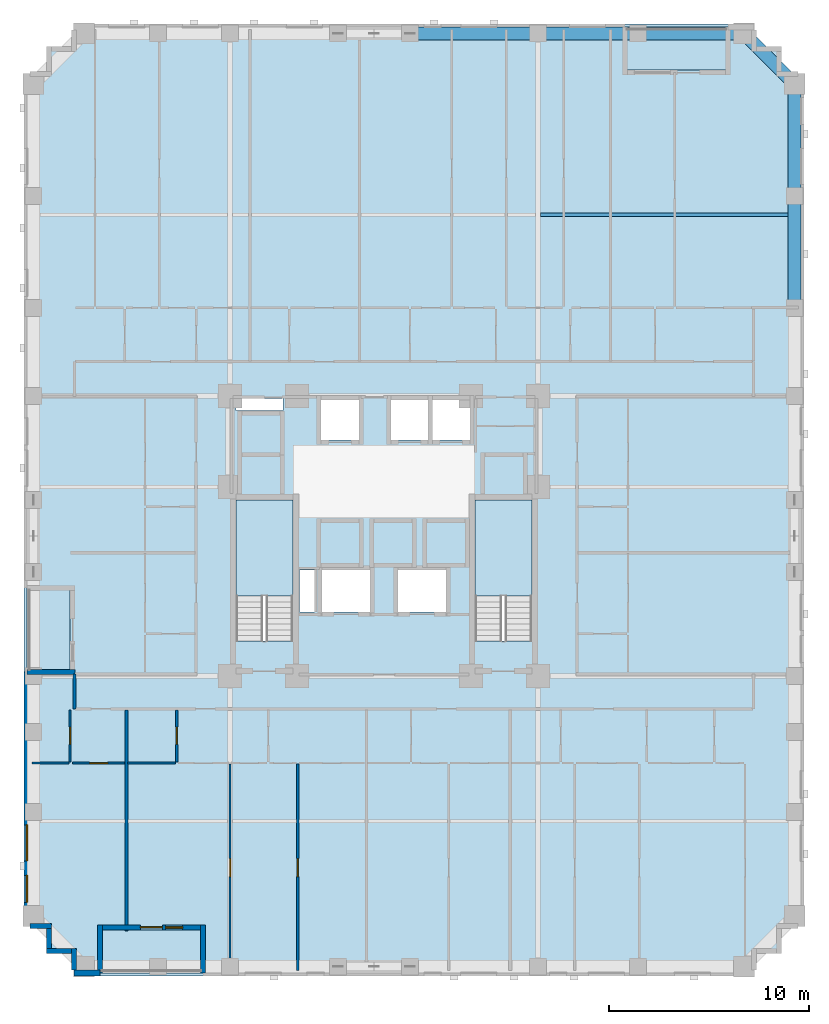
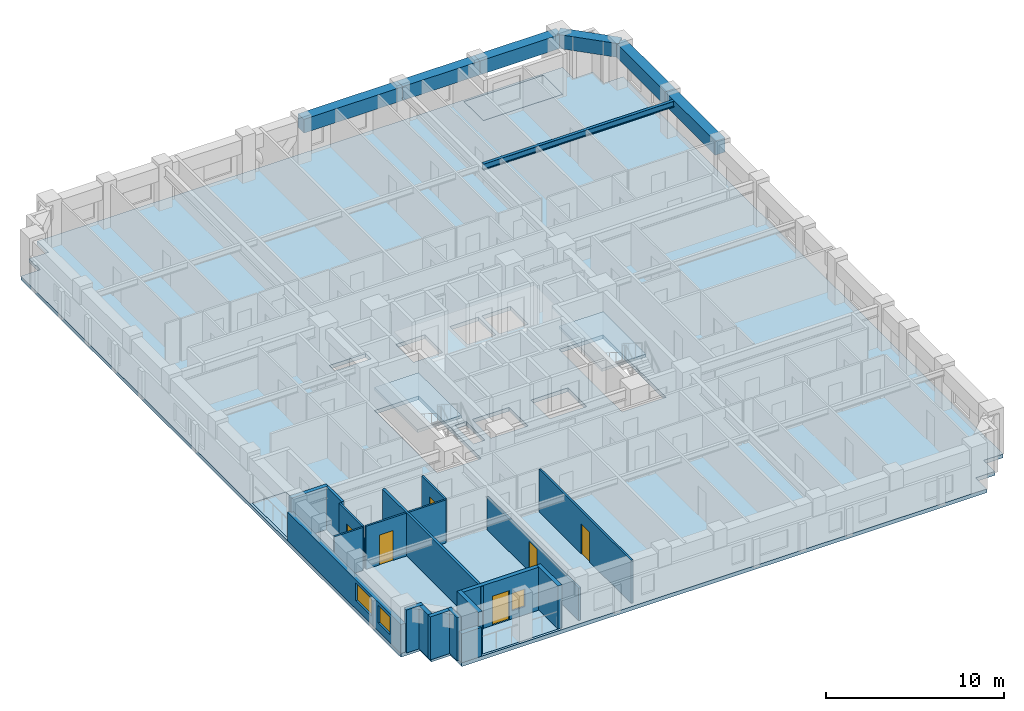
# One storey, part 2 of 14: 19 walls, 7 beams, 6 doors, 6 slabs, 3 windows, 9 openings, 2 elements without a shape of their own.
"""IFC4 building model written with IfcOpenShell, lengths in metres."""

from ifc_helpers import new_model, si_unit, derived_unit, direction, frame, frame_2d, origin, origin_2d, place, context, subcontext, project, spatial, polyline, rectangle, i_section, outline, extrude, material, layer, layer_set, material_profile, profile_set, type_object, element, fill, aggregate, save


model = new_model("IFC4")

# Units and contexts
model_context = context("Model", 3, precision=1e-05, world=origin(), true_north=direction((0.0, 1.0)))
body_context = subcontext(model_context, "Body", "Model", "MODEL_VIEW")
ifc_project = project(units=[si_unit("LENGTHUNIT", "METRE"), si_unit("AREAUNIT", "SQUARE_METRE"), si_unit("VOLUMEUNIT", "CUBIC_METRE"), si_unit("PLANEANGLEUNIT", "RADIAN"), si_unit("MASSUNIT", "GRAM", prefix="KILO"), derived_unit("THERMALTRANSMITTANCEUNIT", [(si_unit("MASSUNIT", "GRAM", prefix="KILO"), 1), (si_unit("TIMEUNIT", "SECOND"), -3), (si_unit("THERMODYNAMICTEMPERATUREUNIT", "KELVIN"), -1)])], contexts=[model_context])

# Site, building, storey
site_placement = place(None, origin())
site = spatial("IfcSite", under=ifc_project, at=site_placement, CompositionType="ELEMENT")
building_placement = place(site_placement, origin())
building = spatial("IfcBuilding", under=site, at=building_placement, Name="Korrvale Station Residences", CompositionType="ELEMENT")
storey_placement = place(building_placement, frame((0.0, 0.0, 57.800048828125)))
storey = spatial("IfcBuildingStorey", under=building, at=storey_placement, Name="L15", CompositionType="ELEMENT", Elevation=57.800048828125)

# Beams
ifc_material_1 = material(Name="Steel S355", Category="steel")
ifc_material_profile_1 = material_profile(ifc_material_1, i_section(OverallWidth=0.180908203125, OverallDepth=0.4169921875, WebThickness=0.010986328125, FlangeThickness=0.018310546875, FilletRadius=0.01611328125, at=origin_2d()), Name="W410x85")
ifc_profile_set_1 = profile_set([ifc_material_profile_1], Name="Steel S355")
beam_type_1 = type_object("IfcBeamType", Name="BM-JST-W410x85-S355", PredefinedType="JOIST", material=ifc_profile_set_1)
beam_1_placement = place(storey_placement, frame((33.327880859375, 38.06005859375, 2.7314453125), z_axis=(1.0, 0.0, 0.0), x_axis=(0.0, 1.0, 0.0)))
element("IfcBeam", 1, at=beam_1_placement, inside=storey, type_object=beam_type_1, Name="L15 Floor Framing Joist 06", PredefinedType="JOIST", context=body_context, shape_type="SweptSolid", body=[
    extrude(i_section(OverallWidth=0.180908203125, OverallDepth=0.4169921875, WebThickness=0.010986328125, FlangeThickness=0.018310546875, FilletRadius=0.01611328125, at=origin_2d()), origin(), (0.0, 0.0, 1.0), 12.3671875),
])
ifc_material_2 = material(Name="Concrete C70/85", Category="concrete")
ifc_material_profile_2 = material_profile(ifc_material_2, rectangle(XDim=0.64990234375, YDim=0.949951171875, at=origin_2d()), Name="RCB650x950")
ifc_profile_set_2 = profile_set([ifc_material_profile_2], Name="Concrete C70/85")
beam_type_2 = type_object("IfcBeamType", Name="BM-SPB-RCB650x950-C7085", PredefinedType="SPANDREL", material=ifc_profile_set_2)
beam_2_placement = place(storey_placement, frame((26.800048828125, 47.1201171875, 2.46484375), z_axis=(1.0, 0.0, 0.0), x_axis=(0.0, 1.0, 0.0)))
element("IfcBeam", 2, at=beam_2_placement, inside=storey, type_object=beam_type_2, Name="L15 North Tube Spandrel 12", PredefinedType="SPANDREL", context=body_context, shape_type="SweptSolid", body=[
    extrude(rectangle(XDim=0.64990234375, YDim=0.949951171875, at=origin_2d()), origin(), (0.0, 0.0, 1.0), 6.39990234375),
])
beam_3_placement = place(storey_placement, frame((33.199951171875, 47.1201171875, 2.46484375), z_axis=(1.0, 0.0, 0.0), x_axis=(0.0, 1.0, 0.0)))
element("IfcBeam", 3, at=beam_3_placement, inside=storey, type_object=beam_type_2, Name="L15 North Tube Spandrel 13", PredefinedType="SPANDREL", context=body_context, shape_type="SweptSolid", body=[
    extrude(rectangle(XDim=0.64990234375, YDim=0.949951171875, at=origin_2d()), origin(), (0.0, 0.0, 1.0), 5.0),
])
beam_4_placement = place(storey_placement, frame((38.199951171875, 47.1201171875, 2.46484375), z_axis=(1.0, 0.0, 0.0), x_axis=(0.0, 1.0, 0.0)))
element("IfcBeam", 4, at=beam_4_placement, inside=storey, type_object=beam_type_2, Name="L15 North Tube Spandrel 14", PredefinedType="SPANDREL", context=body_context, shape_type="SweptSolid", body=[
    extrude(rectangle(XDim=0.64990234375, YDim=0.949951171875, at=origin_2d()), origin(), (0.0, 0.0, 1.0), 5.300048828125),
])
for number, where, z_axis, x_axis, name in (
    (5, (46.02001953125, 33.39990234375, 2.46484375), (0.0, 1.0, 0.0), (-1.0, 0.0, 0.0), "L15 East Tube Spandrel 31"),
    (6, (46.02001953125, 39.0, 2.46484375), (0.0, 1.0, 0.0), (-1.0, 0.0, 0.0), "L15 East Tube Spandrel 32"),
):
    element("IfcBeam", number, at=place(storey_placement, frame(where, z_axis=z_axis, x_axis=x_axis)), inside=storey, type_object=beam_type_2, Name=name, PredefinedType="SPANDREL", context=body_context, shape_type="SweptSolid", body=[
        extrude(rectangle(XDim=0.64990234375, YDim=0.949951171875, at=origin_2d()), origin(), (0.0, 0.0, 1.0), 5.60009765625),
    ])
beam_5_placement = place(storey_placement, frame((43.5, 47.1201171875, 2.46484375), z_axis=(0.707106781187, -0.707106781187, 0.0), x_axis=(0.707106781187, 0.707106781187, 0.0)))
element("IfcBeam", 7, at=beam_5_placement, inside=storey, type_object=beam_type_2, Name="L15 Serrated Corner Spandrel 35", PredefinedType="SPANDREL", context=body_context, shape_type="SweptSolid", body=[
    extrude(rectangle(XDim=0.64990234375, YDim=0.949951171875, at=origin_2d()), origin(), (0.0, 0.0, 1.0), 3.56396484375),
])

# Slabs
ifc_material_3 = material(Name="Concrete C50/60", Category="concrete")
ifc_layer_1 = layer(ifc_material_3, 0.219970703125, Name="Concrete C50/60")
ifc_layer_set_1 = layer_set([ifc_layer_1], Name="Concrete C50/60")
slab_type_1 = type_object("IfcSlabType", Name="SLB-BAL-220", PredefinedType="FLOOR", material=ifc_layer_set_1)
slab_1_placement = place(storey_placement, frame((0.0, 0.0, -0.219970703125)))
element("IfcSlab", 8, at=slab_1_placement, inside=storey, type_object=slab_type_1, Name="L15 Recessed Loggia Balcony Slab BAL-L15-S1", PredefinedType="FLOOR", context=body_context, shape_type="SweptSolid", body=[
    extrude(outline(polyline([(11.300048828125, 0.14990234375), (16.449951171875, 0.14990234375), (16.449951171875, 2.300048828125), (11.300048828125, 2.300048828125), (11.300048828125, 0.14990234375)])), origin(), (0.0, 0.0, 1.0), 0.219970703125),
])
slab_2_placement = place(storey_placement, frame((0.0, 0.0, -0.219970703125)))
element("IfcSlab", 9, at=slab_2_placement, inside=storey, type_object=slab_type_1, Name="L15 Recessed Loggia Balcony Slab BAL-L15-N1", PredefinedType="FLOOR", context=body_context, shape_type="SweptSolid", body=[
    extrude(outline(polyline([(37.550048828125, 45.300048828125), (42.699951171875, 45.300048828125), (42.699951171875, 47.449951171875), (37.550048828125, 47.449951171875), (37.550048828125, 45.300048828125)])), origin(), (0.0, 0.0, 1.0), 0.219970703125),
])
slab_3_placement = place(storey_placement, frame((0.0, 0.0, -0.219970703125)))
element("IfcSlab", 10, at=slab_3_placement, inside=storey, type_object=slab_type_1, Name="L15 Recessed Loggia Balcony Slab BAL-L15-W1", PredefinedType="FLOOR", context=body_context, shape_type="SweptSolid", body=[
    extrude(outline(polyline([(7.64990234375, 15.199951171875), (9.800048828125, 15.199951171875), (9.800048828125, 19.39990234375), (7.64990234375, 19.39990234375), (7.64990234375, 15.199951171875)])), origin(), (0.0, 0.0, 1.0), 0.219970703125),
])
ifc_layer_2 = layer(ifc_material_3, 0.260009765625, Name="Concrete C50/60")
ifc_layer_set_2 = layer_set([ifc_layer_2], Name="Concrete C50/60")
slab_type_2 = type_object("IfcSlabType", Name="SLB-FLR-260", PredefinedType="FLOOR", material=ifc_layer_set_2)
slab_4_placement = place(storey_placement, frame((0.0, 0.0, -0.260009765625)))
element("IfcSlab", 11, at=slab_4_placement, inside=storey, type_object=slab_type_2, Name="L15 Suspended Structural Floor Slab", PredefinedType="FLOOR", context=body_context, shape_type="SweptSolid", body=[
    extrude(outline(polyline([(10.0, 0.0), (44.0, 0.0), (44.0, 1.25), (45.25, 1.25), (45.25, 2.5), (46.5, 2.5), (46.5, 45.10009765625), (45.25, 45.10009765625), (45.25, 46.35009765625), (44.0, 46.35009765625), (44.0, 47.60009765625), (10.0, 47.60009765625), (10.0, 46.35009765625), (8.75, 46.35009765625), (8.75, 45.10009765625), (7.5, 45.10009765625), (7.5, 2.5), (8.75, 2.5), (8.75, 1.25), (10.0, 1.25), (10.0, 0.0)]), holes=[polyline([(20.949951171875, 16.751953125), (20.949951171875, 23.800048828125), (18.10009765625, 23.800048828125), (18.10009765625, 16.751953125), (20.949951171875, 16.751953125)]), polyline([(32.89990234375, 16.751953125), (32.89990234375, 23.800048828125), (30.050048828125, 23.800048828125), (30.050048828125, 16.751953125), (32.89990234375, 16.751953125)]), polyline([(22.35009765625, 26.800048828125), (24.25, 26.800048828125), (24.25, 28.800048828125), (22.35009765625, 28.800048828125), (22.35009765625, 26.800048828125)]), polyline([(25.85009765625, 26.800048828125), (27.7099609375, 26.800048828125), (27.7099609375, 28.800048828125), (25.85009765625, 28.800048828125), (25.85009765625, 26.800048828125)]), polyline([(27.929931640625, 26.800048828125), (29.7900390625, 26.800048828125), (29.7900390625, 28.800048828125), (27.929931640625, 28.800048828125), (27.929931640625, 26.800048828125)]), polyline([(22.39990234375, 18.199951171875), (24.800048828125, 18.199951171875), (24.800048828125, 20.300048828125), (22.39990234375, 20.300048828125), (22.39990234375, 18.199951171875)]), polyline([(26.199951171875, 18.199951171875), (28.60009765625, 18.199951171875), (28.60009765625, 20.300048828125), (26.199951171875, 20.300048828125), (26.199951171875, 18.199951171875)]), polyline([(18.10009765625, 28.280029296875), (20.449951171875, 28.280029296875), (20.449951171875, 28.8798828125), (18.10009765625, 28.8798828125), (18.10009765625, 28.280029296875)]), polyline([(21.280029296875, 18.199951171875), (22.02001953125, 18.199951171875), (22.02001953125, 20.300048828125), (21.280029296875, 20.300048828125), (21.280029296875, 18.199951171875)]), polyline([(11.300048828125, 0.14990234375), (16.449951171875, 0.14990234375), (16.449951171875, 2.300048828125), (11.300048828125, 2.300048828125), (11.300048828125, 0.14990234375)]), polyline([(37.550048828125, 45.300048828125), (42.699951171875, 45.300048828125), (42.699951171875, 47.449951171875), (37.550048828125, 47.449951171875), (37.550048828125, 45.300048828125)]), polyline([(7.64990234375, 15.199951171875), (9.800048828125, 15.199951171875), (9.800048828125, 19.39990234375), (7.64990234375, 19.39990234375), (7.64990234375, 15.199951171875)])]), origin(), (0.0, 0.0, 1.0), 0.260009765625),
])

# Stair, slab
stair_type = type_object("IfcStairType", Name="STR-DL-1350-18R-1778", PredefinedType="HALF_TURN_STAIR", material=ifc_material_3)
stair_1_placement = place(storey_placement, origin())
stair_1 = element("IfcStair", 12, at=stair_1_placement, inside=storey, type_object=stair_type, Name="L15 Exit Stair 1", PredefinedType="HALF_TURN_STAIR")
ifc_layer_3 = layer(ifc_material_3, 0.199951171875, Name="Concrete C50/60")
ifc_layer_set_3 = layer_set([ifc_layer_3], Name="Concrete C50/60")
slab_type_3 = type_object("IfcSlabType", Name="SLB-LND-200", PredefinedType="LANDING", material=ifc_layer_set_3)
slab_5_placement = place(storey_placement, frame((0.0, 0.0, 1.39990234375)))
slab_5 = element("IfcSlab", 13, at=slab_5_placement, type_object=slab_type_3, Name="ST-1 landing 1", PredefinedType="LANDING", context=body_context, shape_type="SweptSolid", body=[
    extrude(outline(polyline([(20.949951171875, 18.989990234375), (20.949951171875, 23.800048828125), (18.10009765625, 23.800048828125), (18.10009765625, 18.989990234375), (20.949951171875, 18.989990234375)])), origin(), (0.0, 0.0, 1.0), 0.199951171875),
])
aggregate(stair_1, [slab_5])

stair_2_placement = place(storey_placement, origin())
stair_2 = element("IfcStair", 14, at=stair_2_placement, inside=storey, type_object=stair_type, Name="L15 Exit Stair 2", PredefinedType="HALF_TURN_STAIR")
slab_6_placement = place(storey_placement, frame((0.0, 0.0, 1.39990234375)))
slab_6 = element("IfcSlab", 15, at=slab_6_placement, type_object=slab_type_3, Name="ST-2 landing 1", PredefinedType="LANDING", context=body_context, shape_type="SweptSolid", body=[
    extrude(outline(polyline([(32.89990234375, 18.989990234375), (32.89990234375, 23.800048828125), (30.050048828125, 23.800048828125), (30.050048828125, 18.989990234375), (32.89990234375, 18.989990234375)])), origin(), (0.0, 0.0, 1.0), 0.199951171875),
])
aggregate(stair_2, [slab_6])

# Wall
ifc_material_4 = material(Name="Precast concrete C45/55", Category="concrete")
ifc_layer_4 = layer(ifc_material_4, 0.260009765625, Name="Precast concrete C45/55")
ifc_layer_set_4 = layer_set([ifc_layer_4], Name="Precast concrete C45/55")
wall_type_1 = type_object("IfcWallType", Name="WAL-EXT-LOG260", PredefinedType="SOLIDWALL", material=ifc_layer_set_4)
wall_1_placement = place(storey_placement, frame((16.449951171875, 0.159912109375, 0.0), z_axis=(0.0, 0.0, 1.0), x_axis=(0.0, 1.0, 0.0)))
element("IfcWall", 16, at=wall_1_placement, inside=storey, type_object=wall_type_1, Name="L15 Recessed Loggia Wall BAL-L15-S1-L", PredefinedType="SOLIDWALL", context=body_context, shape_type="SweptSolid", body=[
    extrude(rectangle(XDim=2.400146484375, YDim=0.260009765625, at=frame_2d((1.2001953125, 0.0))), origin(), (0.0, 0.0, 1.0), 2.93994140625),
])

# Wall, openings, door, window
wall_2_placement = place(storey_placement, frame((16.31591796875, 2.429931640625, 0.0), z_axis=(0.0, 0.0, 1.0), x_axis=(-1.0, 0.0, 0.0)))
wall_2 = element("IfcWall", 17, at=wall_2_placement, inside=storey, type_object=wall_type_1, Name="L15 Recessed Loggia Wall BAL-L15-S1-B", PredefinedType="SOLIDWALL", context=body_context, shape_type="SweptSolid", body=[
    extrude(rectangle(XDim=4.8818359375, YDim=0.260009765625, at=frame_2d((2.44091796875, 0.0))), origin(), (0.0, 0.0, 1.0), 2.93994140625),
])
opening_1_placement = place(wall_2_placement, frame((1.89111328125, 0.0, 0.0)))
opening_1 = element("IfcOpeningElement", 18, at=opening_1_placement, cuts=wall_2, Name="Opening BD-01", PredefinedType="OPENING", context=body_context, shape_type="SweptSolid", body=[
    extrude(rectangle(XDim=1.10009765625, YDim=2.0, at=frame_2d((0.550048828125, 1.0))), frame((0.0, 0.14013671875, 0.0), z_axis=(0.0, -1.0, 0.0), x_axis=(1.0, 0.0, 0.0)), (0.0, 0.0, 1.0), 0.280029296875),
])
opening_2_placement = place(wall_2_placement, frame((0.881103515625, 0.0, 0.550048828125)))
opening_2 = element("IfcOpeningElement", 19, at=opening_2_placement, cuts=wall_2, Name="Opening W-11", PredefinedType="OPENING", context=body_context, shape_type="SweptSolid", body=[
    extrude(rectangle(XDim=0.85009765625, YDim=1.199951171875, at=frame_2d((0.425048828125, 0.60009765625))), frame((0.0, 0.14013671875, 0.0), z_axis=(0.0, -1.0, 0.0), x_axis=(1.0, 0.0, 0.0)), (0.0, 0.0, 1.0), 0.280029296875),
])
ifc_material_5 = material(Name="Exterior thermally broken aluminium glazed balcony door", Category="aluminium")
door_type_1 = type_object("IfcDoorType", Name="DR-EXT-BAL", OperationType="NOTDEFINED", PredefinedType="DOOR", material=ifc_material_5)
door_1_placement = place(opening_1_placement, origin())
door_1 = element("IfcDoor", 20, at=door_1_placement, inside=storey, type_object=door_type_1, Name="L15 Loggia Balcony Door BAL-L15-S1", OperationType="SINGLE_SWING_RIGHT", OverallHeight=2.0, OverallWidth=1.10009765625, PredefinedType="DOOR", context=body_context, shape_type="SweptSolid", body=[
    extrude(rectangle(XDim=1.10009765625, YDim=2.0, at=frame_2d((0.550048828125, 1.0))), frame((0.0, 0.02490234375, 0.0), z_axis=(0.0, -1.0, 0.0), x_axis=(1.0, 0.0, 0.0)), (0.0, 0.0, 1.0), 0.050048828125),
])
fill(opening_1, door_1)
ifc_material_6 = material(Name="Thermally broken aluminium frame with triple low-e glazing", Category="aluminium")
window_type_1 = type_object("IfcWindowType", Name="WIN-W11", PartitioningType="SINGLE_PANEL", PredefinedType="WINDOW", material=ifc_material_6)
window_1_placement = place(opening_2_placement, origin())
window_1 = element("IfcWindow", 21, at=window_1_placement, inside=storey, type_object=window_type_1, Name="L15 Punched Window 03", OverallHeight=1.199951171875, OverallWidth=0.85009765625, PartitioningType="SINGLE_PANEL", PredefinedType="WINDOW", context=body_context, shape_type="SweptSolid", body=[
    extrude(rectangle(XDim=0.85009765625, YDim=1.199951171875, at=frame_2d((0.425048828125, 0.60009765625))), frame((0.0, 0.030029296875, 0.0), z_axis=(0.0, -1.0, 0.0), x_axis=(1.0, 0.0, 0.0)), (0.0, 0.0, 1.0), 0.06005859375),
])
fill(opening_2, window_1)

# Walls
for number, where, z_axis, x_axis, name in (
    (22, (11.300048828125, 2.56005859375, 0.0), (0.0, 0.0, 1.0), (0.0, -1.0, 0.0), "L15 Recessed Loggia Wall BAL-L15-S1-R"),
    (23, (7.659912109375, 15.199951171875, 0.0), (0.0, 0.0, 1.0), (1.0, 0.0, 0.0), "L15 Recessed Loggia Wall BAL-L15-W1-L"),
):
    element("IfcWall", number, at=place(storey_placement, frame(where, z_axis=z_axis, x_axis=x_axis)), inside=storey, type_object=wall_type_1, Name=name, PredefinedType="SOLIDWALL", context=body_context, shape_type="SweptSolid", body=[
        extrude(rectangle(XDim=2.400146484375, YDim=0.260009765625, at=frame_2d((1.2001953125, 0.0))), origin(), (0.0, 0.0, 1.0), 2.93994140625),
    ])
wall_3_placement = place(storey_placement, frame((10.0, 0.302001953125, 0.0), z_axis=(0.0, 0.0, 1.0), x_axis=(0.0, 1.0, 0.0)))
element("IfcWall", 24, at=wall_3_placement, inside=storey, type_object=wall_type_1, Name="L15 Serrated Corner Precast Step SW-1", PredefinedType="SOLIDWALL", context=body_context, shape_type="SweptSolid", body=[
    extrude(rectangle(XDim=1.077880859375, YDim=0.260009765625, at=frame_2d((0.5390625, 0.0))), origin(), (0.0, 0.0, 1.0), 2.93994140625),
])
wall_4_placement = place(storey_placement, frame((9.867919921875, 1.25, 0.0), z_axis=(0.0, 0.0, 1.0), x_axis=(-1.0, 0.0, 0.0)))
element("IfcWall", 25, at=wall_4_placement, inside=storey, type_object=wall_type_1, Name="L15 Serrated Corner Precast Step SW-2", PredefinedType="SOLIDWALL", context=body_context, shape_type="SweptSolid", body=[
    extrude(rectangle(XDim=1.247802734375, YDim=0.260009765625, at=frame_2d((0.6240234375, 0.0))), origin(), (0.0, 0.0, 1.0), 2.93994140625),
])
wall_5_placement = place(storey_placement, frame((8.75, 1.382080078125, 0.0), z_axis=(0.0, 0.0, 1.0), x_axis=(0.0, 1.0, 0.0)))
element("IfcWall", 26, at=wall_5_placement, inside=storey, type_object=wall_type_1, Name="L15 Serrated Corner Precast Step SW-3", PredefinedType="SOLIDWALL", context=body_context, shape_type="SweptSolid", body=[
    extrude(rectangle(XDim=0.98583984375, YDim=0.260009765625, at=frame_2d((0.492919921875, 0.0))), origin(), (0.0, 0.0, 1.0), 2.93994140625),
])
wall_6_placement = place(storey_placement, frame((8.8798828125, 2.5, 0.0), z_axis=(0.0, 0.0, 1.0), x_axis=(-1.0, 0.0, 0.0)))
element("IfcWall", 27, at=wall_6_placement, inside=storey, type_object=wall_type_1, Name="L15 Serrated Corner Precast Step SW-4", PredefinedType="SOLIDWALL", context=body_context, shape_type="SweptSolid", body=[
    extrude(rectangle(XDim=1.077880859375, YDim=0.260009765625, at=frame_2d((0.5390625, 0.0))), origin(), (0.0, 0.0, 1.0), 2.93994140625),
])
ifc_layer_5 = layer(ifc_material_4, 0.300048828125, Name="Precast concrete C45/55")
ifc_layer_set_5 = layer_set([ifc_layer_5], Name="Precast concrete C45/55")
wall_type_2 = type_object("IfcWallType", Name="WAL-EXT-PC300", PredefinedType="SOLIDWALL", material=ifc_layer_set_5)
wall_7_placement = place(storey_placement, frame((11.300048828125, 0.14990234375, 0.0), z_axis=(0.0, 0.0, 1.0), x_axis=(-1.0, 0.0, 0.0)))
element("IfcWall", 28, at=wall_7_placement, inside=storey, type_object=wall_type_2, Name="L15 South Exterior Precast Wall 2", PredefinedType="SOLIDWALL", context=body_context, shape_type="SweptSolid", body=[
    extrude(rectangle(XDim=1.300048828125, YDim=0.300048828125, at=frame_2d((0.64990234375, 0.0))), origin(), (0.0, 0.0, 1.0), 1.974853515625),
])

# Wall, openings, windows
wall_8_placement = place(storey_placement, frame((7.64990234375, 2.5, 0.0), z_axis=(0.0, 0.0, 1.0), x_axis=(0.0, 1.0, 0.0)))
wall_8 = element("IfcWall", 29, at=wall_8_placement, inside=storey, type_object=wall_type_2, Name="L15 West Exterior Precast Wall 1", PredefinedType="SOLIDWALL", context=body_context, shape_type="SweptSolid", body=[
    extrude(rectangle(XDim=12.699951171875, YDim=0.300048828125, at=frame_2d((6.35009765625, 0.0))), origin(), (0.0, 0.0, 1.0), 1.974853515625),
])
opening_3_placement = place(wall_8_placement, frame((3.257080078125, 0.0, 0.550048828125)))
opening_3 = element("IfcOpeningElement", 30, at=opening_3_placement, cuts=wall_8, Name="Opening W-09", PredefinedType="OPENING", context=body_context, shape_type="SweptSolid", body=[
    extrude(rectangle(XDim=1.800048828125, YDim=1.199951171875, at=frame_2d((0.89990234375, 0.60009765625))), frame((0.0, 0.16015625, 0.0), z_axis=(0.0, -1.0, 0.0), x_axis=(1.0, 0.0, 0.0)), (0.0, 0.0, 1.0), 0.320068359375),
])
opening_4_placement = place(wall_8_placement, frame((1.18505859375, 0.0, 0.550048828125)))
opening_4 = element("IfcOpeningElement", 31, at=opening_4_placement, cuts=wall_8, Name="Opening W-10", PredefinedType="OPENING", context=body_context, shape_type="SweptSolid", body=[
    extrude(rectangle(XDim=1.35009765625, YDim=1.199951171875, at=frame_2d((0.675048828125, 0.60009765625))), frame((0.0, 0.16015625, 0.0), z_axis=(0.0, -1.0, 0.0), x_axis=(1.0, 0.0, 0.0)), (0.0, 0.0, 1.0), 0.320068359375),
])
window_type_2 = type_object("IfcWindowType", Name="WIN-W09", PartitioningType="DOUBLE_PANEL_VERTICAL", PredefinedType="WINDOW", material=ifc_material_6)
window_2_placement = place(opening_3_placement, origin())
window_2 = element("IfcWindow", 32, at=window_2_placement, inside=storey, type_object=window_type_2, Name="L15 Punched Window 01", OverallHeight=1.199951171875, OverallWidth=1.800048828125, PartitioningType="DOUBLE_PANEL_VERTICAL", PredefinedType="WINDOW", context=body_context, shape_type="SweptSolid", body=[
    extrude(rectangle(XDim=1.800048828125, YDim=1.199951171875, at=frame_2d((0.89990234375, 0.60009765625))), frame((0.0, 0.030029296875, 0.0), z_axis=(0.0, -1.0, 0.0), x_axis=(1.0, 0.0, 0.0)), (0.0, 0.0, 1.0), 0.06005859375),
])
fill(opening_3, window_2)
window_type_3 = type_object("IfcWindowType", Name="WIN-W10", PartitioningType="SINGLE_PANEL", PredefinedType="WINDOW", material=ifc_material_6)
window_3_placement = place(opening_4_placement, origin())
window_3 = element("IfcWindow", 33, at=window_3_placement, inside=storey, type_object=window_type_3, Name="L15 Punched Window 02", OverallHeight=1.199951171875, OverallWidth=1.35009765625, PartitioningType="SINGLE_PANEL", PredefinedType="WINDOW", context=body_context, shape_type="SweptSolid", body=[
    extrude(rectangle(XDim=1.35009765625, YDim=1.199951171875, at=frame_2d((0.675048828125, 0.60009765625))), frame((0.0, 0.030029296875, 0.0), z_axis=(0.0, -1.0, 0.0), x_axis=(1.0, 0.0, 0.0)), (0.0, 0.0, 1.0), 0.06005859375),
])
fill(opening_4, window_3)

# Wall, opening, door
ifc_material_7 = material(Name="Acoustic steel-stud gypsum board partition", Category="steel")
ifc_layer_6 = layer(ifc_material_7, 0.1201171875, Name="Acoustic steel-stud gypsum board partition")
ifc_layer_set_6 = layer_set([ifc_layer_6], Name="Acoustic steel-stud gypsum board partition")
wall_type_3 = type_object("IfcWallType", Name="WAL-PART-125", PredefinedType="PARTITIONING", material=ifc_layer_set_6)
wall_9_placement = place(storey_placement, frame((9.800048828125, 10.7099609375, 0.0), z_axis=(0.0, 0.0, 1.0), x_axis=(0.0, 1.0, 0.0)))
wall_9 = element("IfcWall", 34, at=wall_9_placement, inside=storey, type_object=wall_type_3, Name="L15 Suite Partition U01-V01", PredefinedType="PARTITIONING", context=body_context, shape_type="SweptSolid", body=[
    extrude(rectangle(XDim=2.60009765625, YDim=0.1201171875, at=frame_2d((1.300048828125, 0.0))), origin(), (0.0, 0.0, 1.0), 2.93994140625),
])
opening_5_placement = place(wall_9_placement, frame((0.8701171875, 0.0, 0.0)))
opening_5 = element("IfcOpeningElement", 35, at=opening_5_placement, cuts=wall_9, Name="Opening DB-860", PredefinedType="OPENING", context=body_context, shape_type="SweptSolid", body=[
    extrude(rectangle(XDim=0.860107421875, YDim=2.050048828125, at=frame_2d((0.43017578125, 1.02490234375))), frame((0.0, 0.070068359375, 0.0), z_axis=(0.0, -1.0, 0.0), x_axis=(1.0, 0.0, 0.0)), (0.0, 0.0, 1.0), 0.14013671875),
])
ifc_material_8 = material(Name="Moisture-resistant solid-core bathroom door", Category="timber")
door_type_2 = type_object("IfcDoorType", Name="DR-BATH-860", OperationType="NOTDEFINED", PredefinedType="DOOR", material=ifc_material_8)
door_2_placement = place(opening_5_placement, origin())
door_2 = element("IfcDoor", 36, at=door_2_placement, inside=storey, type_object=door_type_2, Name="L15 Studio Apartment L15-U01 Bathroom Door", OperationType="SINGLE_SWING_RIGHT", OverallHeight=2.050048828125, OverallWidth=0.860107421875, PredefinedType="DOOR", context=body_context, shape_type="SweptSolid", body=[
    extrude(rectangle(XDim=0.860107421875, YDim=2.050048828125, at=frame_2d((0.43017578125, 1.02490234375))), frame((0.0, 0.02490234375, 0.0), z_axis=(0.0, -1.0, 0.0), x_axis=(1.0, 0.0, 0.0)), (0.0, 0.0, 1.0), 0.050048828125),
])
fill(opening_5, door_2)

# Wall
wall_10_placement = place(storey_placement, frame((7.889892578125, 10.64990234375, 0.0), z_axis=(0.0, 0.0, 1.0), x_axis=(1.0, 0.0, 0.0)))
element("IfcWall", 37, at=wall_10_placement, inside=storey, type_object=wall_type_3, Name="L15 Suite Partition U01-H02", PredefinedType="PARTITIONING", context=body_context, shape_type="SweptSolid", body=[
    extrude(rectangle(XDim=1.85009765625, YDim=0.1201171875, at=frame_2d((0.925048828125, 0.0))), origin(), (0.0, 0.0, 1.0), 2.93994140625),
])

# Wall, opening, door
wall_11_placement = place(storey_placement, frame((9.929931640625, 10.64990234375, 0.0), z_axis=(0.0, 0.0, 1.0), x_axis=(1.0, 0.0, 0.0)))
wall_11 = element("IfcWall", 38, at=wall_11_placement, inside=storey, type_object=wall_type_3, Name="L15 Suite Partition U01-H12", PredefinedType="PARTITIONING", context=body_context, shape_type="SweptSolid", body=[
    extrude(rectangle(XDim=2.59716796875, YDim=0.1201171875, at=frame_2d((1.298583984375, 0.0))), origin(), (0.0, 0.0, 1.0), 2.93994140625),
])
opening_6_placement = place(wall_11_placement, frame((0.847900390625, 0.0, 0.0)))
opening_6 = element("IfcOpeningElement", 39, at=opening_6_placement, cuts=wall_11, Name="Opening DI-900", PredefinedType="OPENING", context=body_context, shape_type="SweptSolid", body=[
    extrude(rectangle(XDim=0.89990234375, YDim=2.050048828125, at=frame_2d((0.449951171875, 1.02490234375))), frame((0.0, 0.070068359375, 0.0), z_axis=(0.0, -1.0, 0.0), x_axis=(1.0, 0.0, 0.0)), (0.0, 0.0, 1.0), 0.14013671875),
])
ifc_material_9 = material(Name="Painted solid-core timber interior room door", Category="wood")
door_type_3 = type_object("IfcDoorType", Name="DR-INT-900", OperationType="NOTDEFINED", PredefinedType="DOOR", material=ifc_material_9)
door_3_placement = place(opening_6_placement, origin())
door_3 = element("IfcDoor", 40, at=door_3_placement, inside=storey, type_object=door_type_3, Name="L15 Studio Apartment L15-U01 Kitchen Door", OperationType="SINGLE_SWING_LEFT", OverallHeight=2.050048828125, OverallWidth=0.89990234375, PredefinedType="DOOR", context=body_context, shape_type="SweptSolid", body=[
    extrude(rectangle(XDim=0.89990234375, YDim=2.050048828125, at=frame_2d((0.449951171875, 1.02490234375))), frame((0.0, 0.02490234375, 0.0), z_axis=(0.0, -1.0, 0.0), x_axis=(1.0, 0.0, 0.0)), (0.0, 0.0, 1.0), 0.050048828125),
])
fill(opening_6, door_3)

wall_12_placement = place(storey_placement, frame((15.14697265625, 10.7099609375, 0.0), z_axis=(0.0, 0.0, 1.0), x_axis=(0.0, 1.0, 0.0)))
wall_12 = element("IfcWall", 41, at=wall_12_placement, inside=storey, type_object=wall_type_3, Name="L15 Suite Partition U02-V01", PredefinedType="PARTITIONING", context=body_context, shape_type="SweptSolid", body=[
    extrude(rectangle(XDim=2.60009765625, YDim=0.1201171875, at=frame_2d((1.300048828125, 0.0))), origin(), (0.0, 0.0, 1.0), 2.93994140625),
])
opening_7_placement = place(wall_12_placement, frame((0.8701171875, 0.0, 0.0)))
opening_7 = element("IfcOpeningElement", 42, at=opening_7_placement, cuts=wall_12, Name="Opening DB-860", PredefinedType="OPENING", context=body_context, shape_type="SweptSolid", body=[
    extrude(rectangle(XDim=0.860107421875, YDim=2.050048828125, at=frame_2d((0.43017578125, 1.02490234375))), frame((0.0, 0.070068359375, 0.0), z_axis=(0.0, -1.0, 0.0), x_axis=(1.0, 0.0, 0.0)), (0.0, 0.0, 1.0), 0.14013671875),
])
door_4_placement = place(opening_7_placement, origin())
door_4 = element("IfcDoor", 43, at=door_4_placement, inside=storey, type_object=door_type_2, Name="L15 Apartment 2BR L15-U02 Bathroom Door", OperationType="SINGLE_SWING_RIGHT", OverallHeight=2.050048828125, OverallWidth=0.860107421875, PredefinedType="DOOR", context=body_context, shape_type="SweptSolid", body=[
    extrude(rectangle(XDim=0.860107421875, YDim=2.050048828125, at=frame_2d((0.43017578125, 1.02490234375))), frame((0.0, 0.02490234375, 0.0), z_axis=(0.0, -1.0, 0.0), x_axis=(1.0, 0.0, 0.0)), (0.0, 0.0, 1.0), 0.050048828125),
])
fill(opening_7, door_4)

# Wall
wall_13_placement = place(storey_placement, frame((12.68701171875, 10.64990234375, 0.0), z_axis=(0.0, 0.0, 1.0), x_axis=(1.0, 0.0, 0.0)))
element("IfcWall", 44, at=wall_13_placement, inside=storey, type_object=wall_type_3, Name="L15 Suite Partition U02-H03", PredefinedType="PARTITIONING", context=body_context, shape_type="SweptSolid", body=[
    extrude(rectangle(XDim=2.39990234375, YDim=0.1201171875, at=frame_2d((1.199951171875, 0.0))), origin(), (0.0, 0.0, 1.0), 2.93994140625),
])

# Wall, opening, door
wall_14_placement = place(storey_placement, frame((17.800048828125, 0.280029296875, 0.0), z_axis=(0.0, 0.0, 1.0), x_axis=(0.0, 1.0, 0.0)))
wall_14 = element("IfcWall", 45, at=wall_14_placement, inside=storey, type_object=wall_type_3, Name="L15 Suite Partition U02-V34", PredefinedType="PARTITIONING", context=body_context, shape_type="SweptSolid", body=[
    extrude(rectangle(XDim=10.31005859375, YDim=0.1201171875, at=frame_2d((5.155029296875, 0.0))), origin(), (0.0, 0.0, 1.0), 2.23193359375),
])
opening_8_placement = place(wall_14_placement, frame((4.68994140625, 0.0, 0.0)))
opening_8 = element("IfcOpeningElement", 46, at=opening_8_placement, cuts=wall_14, Name="Opening DI-900", PredefinedType="OPENING", context=body_context, shape_type="SweptSolid", body=[
    extrude(rectangle(XDim=0.89990234375, YDim=2.050048828125, at=frame_2d((0.449951171875, 1.02490234375))), frame((0.0, 0.070068359375, 0.0), z_axis=(0.0, -1.0, 0.0), x_axis=(1.0, 0.0, 0.0)), (0.0, 0.0, 1.0), 0.14013671875),
])
door_5_placement = place(opening_8_placement, origin())
door_5 = element("IfcDoor", 47, at=door_5_placement, inside=storey, type_object=door_type_3, Name="L15 Apartment 2BR L15-U02 Living and Dining Room Door", OperationType="SINGLE_SWING_RIGHT", OverallHeight=2.050048828125, OverallWidth=0.89990234375, PredefinedType="DOOR", context=body_context, shape_type="SweptSolid", body=[
    extrude(rectangle(XDim=0.89990234375, YDim=2.050048828125, at=frame_2d((0.449951171875, 1.02490234375))), frame((0.0, 0.02490234375, 0.0), z_axis=(0.0, -1.0, 0.0), x_axis=(1.0, 0.0, 0.0)), (0.0, 0.0, 1.0), 0.050048828125),
])
fill(opening_8, door_5)

wall_15_placement = place(storey_placement, frame((21.19091796875, 0.280029296875, 0.0), z_axis=(0.0, 0.0, 1.0), x_axis=(0.0, 1.0, 0.0)))
wall_15 = element("IfcWall", 48, at=wall_15_placement, inside=storey, type_object=wall_type_3, Name="L15 Suite Partition U02-V45", PredefinedType="PARTITIONING", context=body_context, shape_type="SweptSolid", body=[
    extrude(rectangle(XDim=10.31005859375, YDim=0.1201171875, at=frame_2d((5.155029296875, 0.0))), origin(), (0.0, 0.0, 1.0), 2.93994140625),
])
opening_9_placement = place(wall_15_placement, frame((4.68994140625, 0.0, 0.0)))
opening_9 = element("IfcOpeningElement", 49, at=opening_9_placement, cuts=wall_15, Name="Opening DI-900", PredefinedType="OPENING", context=body_context, shape_type="SweptSolid", body=[
    extrude(rectangle(XDim=0.89990234375, YDim=2.050048828125, at=frame_2d((0.449951171875, 1.02490234375))), frame((0.0, 0.070068359375, 0.0), z_axis=(0.0, -1.0, 0.0), x_axis=(1.0, 0.0, 0.0)), (0.0, 0.0, 1.0), 0.14013671875),
])
door_6_placement = place(opening_9_placement, origin())
door_6 = element("IfcDoor", 50, at=door_6_placement, inside=storey, type_object=door_type_3, Name="L15 Apartment 2BR L15-U02 Bedroom 1 Door", OperationType="SINGLE_SWING_LEFT", OverallHeight=2.050048828125, OverallWidth=0.89990234375, PredefinedType="DOOR", context=body_context, shape_type="SweptSolid", body=[
    extrude(rectangle(XDim=0.89990234375, YDim=2.050048828125, at=frame_2d((0.449951171875, 1.02490234375))), frame((0.0, 0.02490234375, 0.0), z_axis=(0.0, -1.0, 0.0), x_axis=(1.0, 0.0, 0.0)), (0.0, 0.0, 1.0), 0.050048828125),
])
fill(opening_9, door_6)

# Walls
ifc_material_10 = material(Name="Fire-rated twin-stud gypsum and mineral wool shaftwall assembly", Category="gypsum")
ifc_layer_7 = layer(ifc_material_10, 0.159912109375, Name="Fire-rated twin-stud gypsum and mineral wool shaftwall assembly")
ifc_layer_set_7 = layer_set([ifc_layer_7], Name="Fire-rated twin-stud gypsum and mineral wool shaftwall assembly")
wall_type_4 = type_object("IfcWallType", Name="WAL-PART-200", PredefinedType="PARTITIONING", material=ifc_layer_set_7)
wall_16_placement = place(storey_placement, frame((10.02001953125, 13.35009765625, 0.0), z_axis=(0.0, 0.0, 1.0), x_axis=(0.0, 1.0, 0.0)))
element("IfcWall", 51, at=wall_16_placement, inside=storey, type_object=wall_type_4, Name="L15 Corridor South West Cap", PredefinedType="PARTITIONING", context=body_context, shape_type="SweptSolid", body=[
    extrude(rectangle(XDim=1.739990234375, YDim=0.159912109375, at=frame_2d((0.8701171875, 0.0))), origin(), (0.0, 0.0, 1.0), 2.93994140625),
])
wall_17_placement = place(storey_placement, frame((12.626953125, 2.260009765625, 0.0), z_axis=(0.0, 0.0, 1.0), x_axis=(0.0, 1.0, 0.0)))
element("IfcWall", 52, at=wall_17_placement, inside=storey, type_object=wall_type_4, Name="L15 Demising Wall U02-W", PredefinedType="PARTITIONING", context=body_context, shape_type="SweptSolid", body=[
    extrude(rectangle(XDim=11.050048828125, YDim=0.159912109375, at=frame_2d((5.52490234375, 0.0))), origin(), (0.0, 0.0, 1.0), 2.93994140625),
])

save(model, "model.ifc")
